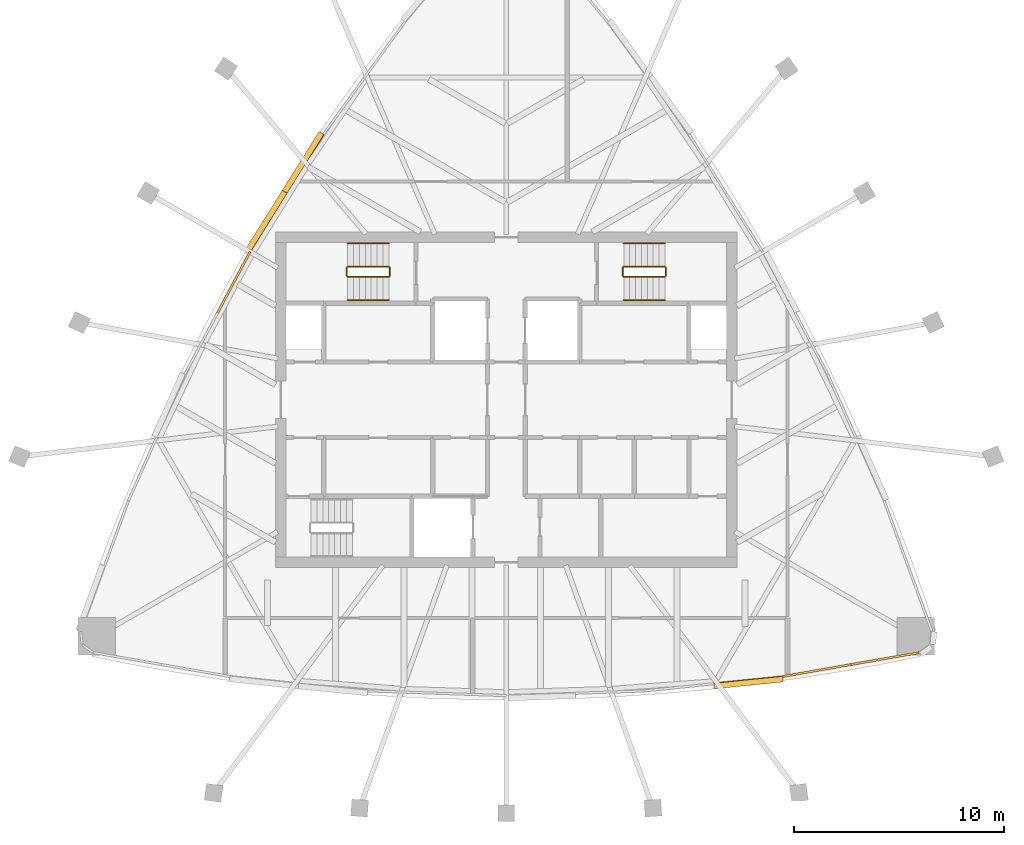
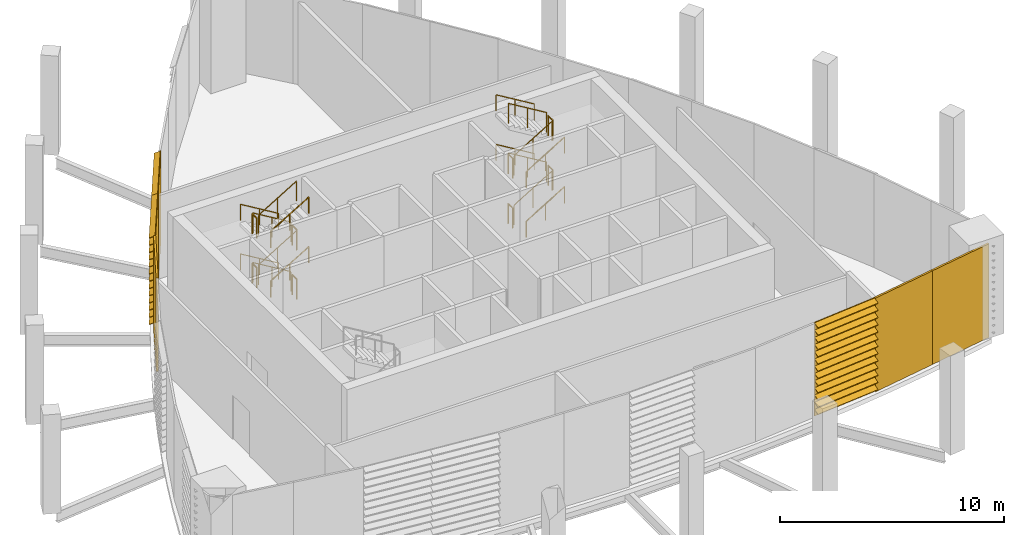
# One storey, part 7 of 8: 24 railings, 3 coverings, 3 shading devices.
"""IFC4 building model written with IfcOpenShell, lengths in metres."""

from ifc_helpers import new_model, si_unit, direction, frame, origin, origin_2d, place, context, subcontext, project, spatial, polyline, circle, outline, extrude, material, layer, layer_set, type_object, element, save


model = new_model("IFC4")

# Units and contexts
model_context = context("Model", 3, precision=1e-05, world=origin(), true_north=direction((0.0, 1.0)))
body_context = subcontext(model_context, "Body", "Model", "MODEL_VIEW")
ifc_project = project(units=[si_unit("LENGTHUNIT", "METRE"), si_unit("AREAUNIT", "SQUARE_METRE"), si_unit("VOLUMEUNIT", "CUBIC_METRE"), si_unit("PLANEANGLEUNIT", "RADIAN"), si_unit("MASSUNIT", "GRAM", prefix="KILO")], contexts=[model_context])

# Site, building, storey
site_placement = place(None, origin())
site = spatial("IfcSite", under=ifc_project, at=site_placement, CompositionType="ELEMENT")
building_placement = place(site_placement, origin())
building = spatial("IfcBuilding", under=site, at=building_placement, Name="Sierra Prisma Convention Tower", CompositionType="ELEMENT")
storey_placement = place(building_placement, frame((0.0, 0.0, 350.199951171875)))
storey = spatial("IfcBuildingStorey", under=building, at=storey_placement, Name="L78", CompositionType="ELEMENT", Elevation=350.199951171875)

# Coverings
ifc_material_1 = material(Name="Aluminium composite bronze anodised", Category="aluminium")
ifc_layer = layer(ifc_material_1, 0.10009765625)
ifc_layer_set = layer_set([ifc_layer], Name="Bronze cladding panel")
covering_type = type_object("IfcCoveringType", Name="Bronze cladding panel", PredefinedType="CLADDING", material=ifc_layer_set)
covering_1_placement = place(storey_placement, origin())
element("IfcCovering", 1, at=covering_1_placement, inside=storey, type_object=covering_type, Name="Crown cladding L78.11", PredefinedType="CLADDING", context=body_context, shape_type="SweptSolid", body=[
    extrude(outline(polyline([(13.164794921875, -13.13720703125), (16.41650390625, -12.568603515625), (16.433837890625, -12.667236328125), (13.18212890625, -13.235595703125), (13.164794921875, -13.13720703125)])), origin(), (0.0, 0.0, 1.0), 5.10009765625),
])
covering_2_placement = place(storey_placement, origin())
element("IfcCovering", 2, at=covering_2_placement, inside=storey, type_object=covering_type, Name="Crown cladding L78.12", PredefinedType="CLADDING", context=body_context, shape_type="SweptSolid", body=[
    extrude(outline(polyline([(16.41650390625, -12.568603515625), (19.66845703125, -12.000244140625), (19.685546875, -12.0986328125), (16.433837890625, -12.667236328125), (16.41650390625, -12.568603515625)])), origin(), (0.0, 0.0, 1.0), 5.10009765625),
])
covering_3_placement = place(storey_placement, origin())
element("IfcCovering", 3, at=covering_3_placement, inside=storey, type_object=covering_type, Name="Crown cladding L78.35", PredefinedType="CLADDING", context=body_context, shape_type="SweptSolid", body=[
    extrude(outline(polyline([(-12.167724609375, 7.02490234375), (-13.71826171875, 4.11083984375), (-13.806640625, 4.15771484375), (-12.255859375, 7.072021484375), (-12.167724609375, 7.02490234375)])), origin(), (0.0, 0.0, 1.0), 5.10009765625),
])

# Railings
ifc_material_2 = material(Name="Stainless steel", Category="steel")
railing_type_1 = type_object("IfcRailingType", Name="Exit stair handrail", PredefinedType="HANDRAIL", material=ifc_material_2)
railing_1_placement = place(storey_placement, frame((-5.60009765625, 7.449951171875, 0.168701171875)))
element("IfcRailing", 4, at=railing_1_placement, inside=storey, type_object=railing_type_1, Name="L78 S3 stair handrail 1", PredefinedType="HANDRAIL", context=body_context, shape_type="SweptSolid", body=[
    extrude(circle(Radius=0.02392578125, at=origin_2d()), frame((0.0, 0.0, 0.8759765625), z_axis=(-0.856446297458, 0.0, 0.516236127728), x_axis=(0.0, -1.0, 0.0)), (0.0, 0.0, 1.0), 2.28857421875),
    extrude(circle(Radius=0.02099609375, at=origin_2d()), origin(), (0.0, 0.0, 1.0), 0.851806640625),
    extrude(circle(Radius=0.02099609375, at=origin_2d()), frame((-0.97998046875, 0.0, 0.5908203125)), (0.0, 0.0, 1.0), 0.851806640625),
    extrude(circle(Radius=0.02099609375, at=origin_2d()), frame((-1.9599609375, 0.0, 1.181396484375)), (0.0, 0.0, 1.0), 0.851806640625),
])
railing_2_placement = place(storey_placement, frame((-7.56005859375, 4.75, 1.518798828125)))
element("IfcRailing", 5, at=railing_2_placement, inside=storey, type_object=railing_type_1, Name="L78 S3 stair handrail 2", PredefinedType="HANDRAIL", context=body_context, shape_type="SweptSolid", body=[
    extrude(circle(Radius=0.02392578125, at=origin_2d()), frame((0.0, 0.0, 0.8759765625), z_axis=(0.856493463811, 0.0, 0.516157869696), x_axis=(0.0, 1.0, 0.0)), (0.0, 0.0, 1.0), 2.288330078125),
    extrude(circle(Radius=0.02099609375, at=origin_2d()), origin(), (0.0, 0.0, 1.0), 0.851806640625),
    extrude(circle(Radius=0.02099609375, at=origin_2d()), frame((0.97998046875, 0.0, 0.590576171875)), (0.0, 0.0, 1.0), 0.851806640625),
    extrude(circle(Radius=0.02099609375, at=origin_2d()), frame((1.9599609375, 0.0, 1.18115234375)), (0.0, 0.0, 1.0), 0.851806640625),
])
railing_3_placement = place(storey_placement, frame((-5.60009765625, 7.449951171875, 2.868896484375)))
element("IfcRailing", 6, at=railing_3_placement, inside=storey, type_object=railing_type_1, Name="L78 S3 stair handrail 3", PredefinedType="HANDRAIL", context=body_context, shape_type="SweptSolid", body=[
    extrude(circle(Radius=0.02392578125, at=origin_2d()), frame((0.0, 0.0, 0.8759765625), z_axis=(-0.856493463811, 0.0, 0.516157869696), x_axis=(0.0, -1.0, 0.0)), (0.0, 0.0, 1.0), 2.288330078125),
    extrude(circle(Radius=0.02099609375, at=origin_2d()), origin(), (0.0, 0.0, 1.0), 0.851806640625),
    extrude(circle(Radius=0.02099609375, at=origin_2d()), frame((-0.97998046875, 0.0, 0.590576171875)), (0.0, 0.0, 1.0), 0.851806640625),
    extrude(circle(Radius=0.02099609375, at=origin_2d()), frame((-1.9599609375, 0.0, 1.18115234375)), (0.0, 0.0, 1.0), 0.851806640625),
])
for number, where, name in (
    (7, (-7.56005859375, 4.75, 4.21875), "L78 S3 stair handrail 4"),
    (8, (5.60009765625, 4.75, 0.168701171875), "L78 S4 stair handrail 1"),
):
    element("IfcRailing", number, at=place(storey_placement, frame(where)), inside=storey, type_object=railing_type_1, Name=name, PredefinedType="HANDRAIL", context=body_context, shape_type="SweptSolid", body=[
        extrude(circle(Radius=0.02392578125, at=origin_2d()), frame((0.0, 0.0, 0.8759765625), z_axis=(0.856446297458, 0.0, 0.516236127728), x_axis=(0.0, 1.0, 0.0)), (0.0, 0.0, 1.0), 2.28857421875),
        extrude(circle(Radius=0.02099609375, at=origin_2d()), origin(), (0.0, 0.0, 1.0), 0.851806640625),
        extrude(circle(Radius=0.02099609375, at=origin_2d()), frame((0.97998046875, 0.0, 0.5908203125)), (0.0, 0.0, 1.0), 0.851806640625),
        extrude(circle(Radius=0.02099609375, at=origin_2d()), frame((1.9599609375, 0.0, 1.181396484375)), (0.0, 0.0, 1.0), 0.851806640625),
    ])
railing_4_placement = place(storey_placement, frame((7.56005859375, 7.449951171875, 1.518798828125)))
element("IfcRailing", 9, at=railing_4_placement, inside=storey, type_object=railing_type_1, Name="L78 S4 stair handrail 2", PredefinedType="HANDRAIL", context=body_context, shape_type="SweptSolid", body=[
    extrude(circle(Radius=0.02392578125, at=origin_2d()), frame((0.0, 0.0, 0.8759765625), z_axis=(-0.856493463811, 0.0, 0.516157869696), x_axis=(0.0, -1.0, 0.0)), (0.0, 0.0, 1.0), 2.288330078125),
    extrude(circle(Radius=0.02099609375, at=origin_2d()), origin(), (0.0, 0.0, 1.0), 0.851806640625),
    extrude(circle(Radius=0.02099609375, at=origin_2d()), frame((-0.97998046875, 0.0, 0.590576171875)), (0.0, 0.0, 1.0), 0.851806640625),
    extrude(circle(Radius=0.02099609375, at=origin_2d()), frame((-1.9599609375, 0.0, 1.18115234375)), (0.0, 0.0, 1.0), 0.851806640625),
])
railing_5_placement = place(storey_placement, frame((5.60009765625, 4.75, 2.868896484375)))
element("IfcRailing", 10, at=railing_5_placement, inside=storey, type_object=railing_type_1, Name="L78 S4 stair handrail 3", PredefinedType="HANDRAIL", context=body_context, shape_type="SweptSolid", body=[
    extrude(circle(Radius=0.02392578125, at=origin_2d()), frame((0.0, 0.0, 0.8759765625), z_axis=(0.856493463811, 0.0, 0.516157869696), x_axis=(0.0, 1.0, 0.0)), (0.0, 0.0, 1.0), 2.288330078125),
    extrude(circle(Radius=0.02099609375, at=origin_2d()), origin(), (0.0, 0.0, 1.0), 0.851806640625),
    extrude(circle(Radius=0.02099609375, at=origin_2d()), frame((0.97998046875, 0.0, 0.590576171875)), (0.0, 0.0, 1.0), 0.851806640625),
    extrude(circle(Radius=0.02099609375, at=origin_2d()), frame((1.9599609375, 0.0, 1.18115234375)), (0.0, 0.0, 1.0), 0.851806640625),
])
railing_6_placement = place(storey_placement, frame((7.56005859375, 7.449951171875, 4.21875)))
element("IfcRailing", 11, at=railing_6_placement, inside=storey, type_object=railing_type_1, Name="L78 S4 stair handrail 4", PredefinedType="HANDRAIL", context=body_context, shape_type="SweptSolid", body=[
    extrude(circle(Radius=0.02392578125, at=origin_2d()), frame((0.0, 0.0, 0.8759765625), z_axis=(-0.856446297458, 0.0, 0.516236127728), x_axis=(0.0, -1.0, 0.0)), (0.0, 0.0, 1.0), 2.28857421875),
    extrude(circle(Radius=0.02099609375, at=origin_2d()), origin(), (0.0, 0.0, 1.0), 0.851806640625),
    extrude(circle(Radius=0.02099609375, at=origin_2d()), frame((-0.97998046875, 0.0, 0.5908203125)), (0.0, 0.0, 1.0), 0.851806640625),
    extrude(circle(Radius=0.02099609375, at=origin_2d()), frame((-1.9599609375, 0.0, 1.181396484375)), (0.0, 0.0, 1.0), 0.851806640625),
])

# Shading devices
ifc_material_3 = material(Name="Aluminium 6063-T6 bronze anodised", Category="aluminium")
shading_device_type = type_object("IfcShadingDeviceType", Name="Louvre bay bronze", PredefinedType="USERDEFINED", material=ifc_material_3)
shading_device_1_placement = place(storey_placement, frame((9.881591796875, -13.479248046875, 0.0), z_axis=(-0.99499427117, -0.09993197856, 0.0), x_axis=(0.0, 0.0, 1.0)))
element("IfcShadingDevice", 12, at=shading_device_1_placement, inside=storey, type_object=shading_device_type, Name="Crown louvre L78.10", ObjectType="LOUVRE", PredefinedType="USERDEFINED", context=body_context, shape_type="SweptSolid", body=[
    extrude(outline(polyline([(0.0, 0.0), (5.10009765625, 0.0), (5.10009765625, -0.030171747826325142), (5.080078125, -0.030171747826325142), (4.9599609375, -0.29994491226729436), (4.929931640625, -0.29994491226729436), (5.050048828125, -0.030171747826325142), (4.707763671875, -0.030171747826325142), (4.687744140625, -0.030171747826325142), (4.567626953125, -0.29994491226729436), (4.537841796875, -0.29994491226729436), (4.65771484375, -0.030171747826325142), (4.3154296875, -0.030171747826325142), (4.29541015625, -0.030171747826325142), (4.175537109375, -0.29994491226729436), (4.1455078125, -0.29994491226729436), (4.265380859375, -0.030171747826325142), (3.923095703125, -0.030171747826325142), (3.903076171875, -0.030171747826325142), (3.783203125, -0.29994491226729436), (3.753173828125, -0.29994491226729436), (3.873046875, -0.030171747826325142), (3.53076171875, -0.030171747826325142), (3.5107421875, -0.030171747826325142), (3.390869140625, -0.29994491226729436), (3.36083984375, -0.29994491226729436), (3.480712890625, -0.030171747826325142), (3.138427734375, -0.030171747826325142), (3.118408203125, -0.030171747826325142), (2.99853515625, -0.29994491226729436), (2.968505859375, -0.29994491226729436), (3.088623046875, -0.030171747826325142), (2.74609375, -0.030171747826325142), (2.726318359375, -0.030171747826325142), (2.606201171875, -0.29994491226729436), (2.576171875, -0.29994491226729436), (2.6962890625, -0.030171747826325142), (2.35400390625, -0.030171747826325142), (2.333984375, -0.030171747826325142), (2.2138671875, -0.29994491226729436), (2.183837890625, -0.29994491226729436), (2.303955078125, -0.030171747826325142), (1.961669921875, -0.030171747826325142), (1.941650390625, -0.030171747826325142), (1.821533203125, -0.29994491226729436), (1.79150390625, -0.29994491226729436), (1.91162109375, -0.030171747826325142), (1.5693359375, -0.030171747826325142), (1.54931640625, -0.030171747826325142), (1.42919921875, -0.29994491226729436), (1.399169921875, -0.29994491226729436), (1.519287109375, -0.030171747826325142), (1.177001953125, -0.030171747826325142), (1.156982421875, -0.030171747826325142), (1.036865234375, -0.29994491226729436), (1.007080078125, -0.29994491226729436), (1.126953125, -0.030171747826325142), (0.78466796875, -0.030171747826325142), (0.7646484375, -0.030171747826325142), (0.644775390625, -0.29994491226729436), (0.61474609375, -0.29994491226729436), (0.734619140625, -0.030171747826325142), (0.392333984375, -0.030171747826325142), (0.372314453125, -0.030171747826325142), (0.25244140625, -0.29994491226729436), (0.222412109375, -0.29994491226729436), (0.34228515625, -0.030171747826325142), (0.0, -0.030171747826325142), (0.0, 0.0)])), origin(), (0.0, 0.0, -1.0), 3.301025390625),
])
shading_device_2_placement = place(storey_placement, frame((-8.670654296875, 12.625, 0.0), z_axis=(0.529932594496, 0.848039766338, 0.0), x_axis=(0.0, 0.0, 1.0)))
element("IfcShadingDevice", 13, at=shading_device_2_placement, inside=storey, type_object=shading_device_type, Name="Crown louvre L78.33", ObjectType="LOUVRE", PredefinedType="USERDEFINED", context=body_context, shape_type="SweptSolid", body=[
    extrude(outline(polyline([(0.0, 0.0), (5.10009765625, 0.0), (5.10009765625, -0.029941834556005825), (5.080078125, -0.029941834556005825), (4.9599609375, -0.29996180555204366), (4.929931640625, -0.29996180555204366), (5.050048828125, -0.029941834556005825), (4.707763671875, -0.029941834556005825), (4.687744140625, -0.029941834556005825), (4.567626953125, -0.29996180555204366), (4.537841796875, -0.29996180555204366), (4.65771484375, -0.029941834556005825), (4.3154296875, -0.029941834556005825), (4.29541015625, -0.029941834556005825), (4.175537109375, -0.29996180555204366), (4.1455078125, -0.29996180555204366), (4.265380859375, -0.029941834556005825), (3.923095703125, -0.029941834556005825), (3.903076171875, -0.029941834556005825), (3.783203125, -0.29996180555204366), (3.753173828125, -0.29996180555204366), (3.873046875, -0.029941834556005825), (3.53076171875, -0.029941834556005825), (3.5107421875, -0.029941834556005825), (3.390869140625, -0.29996180555204366), (3.36083984375, -0.29996180555204366), (3.480712890625, -0.029941834556005825), (3.138427734375, -0.029941834556005825), (3.118408203125, -0.029941834556005825), (2.99853515625, -0.29996180555204366), (2.968505859375, -0.29996180555204366), (3.088623046875, -0.029941834556005825), (2.74609375, -0.029941834556005825), (2.726318359375, -0.029941834556005825), (2.606201171875, -0.29996180555204366), (2.576171875, -0.29996180555204366), (2.6962890625, -0.029941834556005825), (2.35400390625, -0.029941834556005825), (2.333984375, -0.029941834556005825), (2.2138671875, -0.29996180555204366), (2.183837890625, -0.29996180555204366), (2.303955078125, -0.029941834556005825), (1.961669921875, -0.029941834556005825), (1.941650390625, -0.029941834556005825), (1.821533203125, -0.29996180555204366), (1.79150390625, -0.29996180555204366), (1.91162109375, -0.029941834556005825), (1.5693359375, -0.029941834556005825), (1.54931640625, -0.029941834556005825), (1.42919921875, -0.29996180555204366), (1.399169921875, -0.29996180555204366), (1.519287109375, -0.029941834556005825), (1.177001953125, -0.029941834556005825), (1.156982421875, -0.029941834556005825), (1.036865234375, -0.29996180555204366), (1.007080078125, -0.29996180555204366), (1.126953125, -0.029941834556005825), (0.78466796875, -0.029941834556005825), (0.7646484375, -0.029941834556005825), (0.644775390625, -0.29996180555204366), (0.61474609375, -0.29996180555204366), (0.734619140625, -0.029941834556005825), (0.392333984375, -0.029941834556005825), (0.372314453125, -0.029941834556005825), (0.25244140625, -0.29996180555204366), (0.222412109375, -0.29996180555204366), (0.34228515625, -0.029941834556005825), (0.0, -0.029941834556005825), (0.0, 0.0)])), origin(), (0.0, 0.0, -1.0), 3.301025390625),
])
shading_device_3_placement = place(storey_placement, frame((-10.419189453125, 9.824951171875, 0.0), z_axis=(0.529932594496, 0.848039766338, 0.0), x_axis=(0.0, 0.0, 1.0)))
element("IfcShadingDevice", 14, at=shading_device_3_placement, inside=storey, type_object=shading_device_type, Name="Crown louvre L78.34", ObjectType="LOUVRE", PredefinedType="USERDEFINED", context=body_context, shape_type="SweptSolid", body=[
    extrude(outline(polyline([(0.0, 0.0), (5.10009765625, 0.0), (5.10009765625, -0.029941834556005825), (5.080078125, -0.029941834556005825), (4.9599609375, -0.29996180555204366), (4.929931640625, -0.29996180555204366), (5.050048828125, -0.029941834556005825), (4.707763671875, -0.029941834556005825), (4.687744140625, -0.029941834556005825), (4.567626953125, -0.29996180555204366), (4.537841796875, -0.29996180555204366), (4.65771484375, -0.029941834556005825), (4.3154296875, -0.029941834556005825), (4.29541015625, -0.029941834556005825), (4.175537109375, -0.29996180555204366), (4.1455078125, -0.29996180555204366), (4.265380859375, -0.029941834556005825), (3.923095703125, -0.029941834556005825), (3.903076171875, -0.029941834556005825), (3.783203125, -0.29996180555204366), (3.753173828125, -0.29996180555204366), (3.873046875, -0.029941834556005825), (3.53076171875, -0.029941834556005825), (3.5107421875, -0.029941834556005825), (3.390869140625, -0.29996180555204366), (3.36083984375, -0.29996180555204366), (3.480712890625, -0.029941834556005825), (3.138427734375, -0.029941834556005825), (3.118408203125, -0.029941834556005825), (2.99853515625, -0.29996180555204366), (2.968505859375, -0.29996180555204366), (3.088623046875, -0.029941834556005825), (2.74609375, -0.029941834556005825), (2.726318359375, -0.029941834556005825), (2.606201171875, -0.29996180555204366), (2.576171875, -0.29996180555204366), (2.6962890625, -0.029941834556005825), (2.35400390625, -0.029941834556005825), (2.333984375, -0.029941834556005825), (2.2138671875, -0.29996180555204366), (2.183837890625, -0.29996180555204366), (2.303955078125, -0.029941834556005825), (1.961669921875, -0.029941834556005825), (1.941650390625, -0.029941834556005825), (1.821533203125, -0.29996180555204366), (1.79150390625, -0.29996180555204366), (1.91162109375, -0.029941834556005825), (1.5693359375, -0.029941834556005825), (1.54931640625, -0.029941834556005825), (1.42919921875, -0.29996180555204366), (1.399169921875, -0.29996180555204366), (1.519287109375, -0.029941834556005825), (1.177001953125, -0.029941834556005825), (1.156982421875, -0.029941834556005825), (1.036865234375, -0.29996180555204366), (1.007080078125, -0.29996180555204366), (1.126953125, -0.029941834556005825), (0.78466796875, -0.029941834556005825), (0.7646484375, -0.029941834556005825), (0.644775390625, -0.29996180555204366), (0.61474609375, -0.29996180555204366), (0.734619140625, -0.029941834556005825), (0.392333984375, -0.029941834556005825), (0.372314453125, -0.029941834556005825), (0.25244140625, -0.29996180555204366), (0.222412109375, -0.29996180555204366), (0.34228515625, -0.029941834556005825), (0.0, -0.029941834556005825), (0.0, 0.0)])), origin(), (0.0, 0.0, -1.0), 3.301025390625),
])

# Railings
ifc_material_4 = material(Name="Stainless steel", Category="steel")
railing_type_2 = type_object("IfcRailingType", Name="Stair guard 1100", PredefinedType="GUARDRAIL", material=ifc_material_4)
railing_7_placement = place(storey_placement, frame((-5.60009765625, 6.35009765625, 0.168701171875)))
element("IfcRailing", 15, at=railing_7_placement, inside=storey, type_object=railing_type_2, Name="L78 S3 stair guard 1", PredefinedType="GUARDRAIL", context=body_context, shape_type="SweptSolid", body=[
    extrude(circle(Radius=0.02392578125, at=origin_2d()), frame((0.0, 0.0, 1.076171875), z_axis=(-0.856446297458, 0.0, 0.516236127728), x_axis=(0.0, -1.0, 0.0)), (0.0, 0.0, 1.0), 2.28857421875),
    extrude(circle(Radius=0.02099609375, at=origin_2d()), origin(), (0.0, 0.0, 1.0), 1.052001953125),
    extrude(circle(Radius=0.02099609375, at=origin_2d()), frame((-0.97998046875, 0.0, 0.5908203125)), (0.0, 0.0, 1.0), 1.052001953125),
    extrude(circle(Radius=0.02099609375, at=origin_2d()), frame((-1.9599609375, 0.0, 1.181396484375)), (0.0, 0.0, 1.0), 1.052001953125),
])
railing_8_placement = place(storey_placement, frame((-7.610107421875, 6.300048828125, 1.35009765625)))
element("IfcRailing", 16, at=railing_8_placement, inside=storey, type_object=railing_type_2, Name="L78 S3 stair guard 2", PredefinedType="GUARDRAIL", context=body_context, shape_type="SweptSolid", body=[
    extrude(circle(Radius=0.02392578125, at=origin_2d()), frame((0.0, 0.0, 1.076171875), z_axis=(0.0, -1.0, 0.0), x_axis=(1.0, 0.0, 0.0)), (0.0, 0.0, 1.0), 0.400146484375),
    extrude(circle(Radius=0.02099609375, at=origin_2d()), origin(), (0.0, 0.0, 1.0), 1.052001953125),
    extrude(circle(Radius=0.02099609375, at=origin_2d()), frame((0.0, -0.400146484375, 0.0)), (0.0, 0.0, 1.0), 1.052001953125),
])
railing_9_placement = place(storey_placement, frame((-7.56005859375, 5.85009765625, 1.518798828125)))
element("IfcRailing", 17, at=railing_9_placement, inside=storey, type_object=railing_type_2, Name="L78 S3 stair guard 3", PredefinedType="GUARDRAIL", context=body_context, shape_type="SweptSolid", body=[
    extrude(circle(Radius=0.02392578125, at=origin_2d()), frame((0.0, 0.0, 1.076171875), z_axis=(0.856493463811, 0.0, 0.516157869696), x_axis=(0.0, 1.0, 0.0)), (0.0, 0.0, 1.0), 2.288330078125),
    extrude(circle(Radius=0.02099609375, at=origin_2d()), origin(), (0.0, 0.0, 1.0), 1.052001953125),
    extrude(circle(Radius=0.02099609375, at=origin_2d()), frame((0.97998046875, 0.0, 0.590576171875)), (0.0, 0.0, 1.0), 1.052001953125),
    extrude(circle(Radius=0.02099609375, at=origin_2d()), frame((1.9599609375, 0.0, 1.18115234375)), (0.0, 0.0, 1.0), 1.052001953125),
])
railing_10_placement = place(storey_placement, frame((-5.550048828125, 6.300048828125, 2.699951171875)))
element("IfcRailing", 18, at=railing_10_placement, inside=storey, type_object=railing_type_2, Name="L78 S3 stair guard 4", PredefinedType="GUARDRAIL", context=body_context, shape_type="SweptSolid", body=[
    extrude(circle(Radius=0.02392578125, at=origin_2d()), frame((0.0, 0.0, 1.076171875), z_axis=(0.0, -1.0, 0.0), x_axis=(1.0, 0.0, 0.0)), (0.0, 0.0, 1.0), 0.400146484375),
    extrude(circle(Radius=0.02099609375, at=origin_2d()), origin(), (0.0, 0.0, 1.0), 1.052001953125),
    extrude(circle(Radius=0.02099609375, at=origin_2d()), frame((0.0, -0.400146484375, 0.0)), (0.0, 0.0, 1.0), 1.052001953125),
])
railing_11_placement = place(storey_placement, frame((-5.60009765625, 6.35009765625, 2.868896484375)))
element("IfcRailing", 19, at=railing_11_placement, inside=storey, type_object=railing_type_2, Name="L78 S3 stair guard 5", PredefinedType="GUARDRAIL", context=body_context, shape_type="SweptSolid", body=[
    extrude(circle(Radius=0.02392578125, at=origin_2d()), frame((0.0, 0.0, 1.076171875), z_axis=(-0.856493463811, 0.0, 0.516157869696), x_axis=(0.0, -1.0, 0.0)), (0.0, 0.0, 1.0), 2.288330078125),
    extrude(circle(Radius=0.02099609375, at=origin_2d()), origin(), (0.0, 0.0, 1.0), 1.052001953125),
    extrude(circle(Radius=0.02099609375, at=origin_2d()), frame((-0.97998046875, 0.0, 0.590576171875)), (0.0, 0.0, 1.0), 1.052001953125),
    extrude(circle(Radius=0.02099609375, at=origin_2d()), frame((-1.9599609375, 0.0, 1.18115234375)), (0.0, 0.0, 1.0), 1.052001953125),
])
railing_12_placement = place(storey_placement, frame((-7.610107421875, 6.300048828125, 4.050048828125)))
element("IfcRailing", 20, at=railing_12_placement, inside=storey, type_object=railing_type_2, Name="L78 S3 stair guard 6", PredefinedType="GUARDRAIL", context=body_context, shape_type="SweptSolid", body=[
    extrude(circle(Radius=0.02392578125, at=origin_2d()), frame((0.0, 0.0, 1.076171875), z_axis=(0.0, -1.0, 0.0), x_axis=(1.0, 0.0, 0.0)), (0.0, 0.0, 1.0), 0.400146484375),
    extrude(circle(Radius=0.02099609375, at=origin_2d()), origin(), (0.0, 0.0, 1.0), 1.052001953125),
    extrude(circle(Radius=0.02099609375, at=origin_2d()), frame((0.0, -0.400146484375, 0.0)), (0.0, 0.0, 1.0), 1.052001953125),
])
railing_13_placement = place(storey_placement, frame((-7.56005859375, 5.85009765625, 4.21875)))
element("IfcRailing", 21, at=railing_13_placement, inside=storey, type_object=railing_type_2, Name="L78 S3 stair guard 7", PredefinedType="GUARDRAIL", context=body_context, shape_type="SweptSolid", body=[
    extrude(circle(Radius=0.02392578125, at=origin_2d()), frame((0.0, 0.0, 1.076171875), z_axis=(0.856446297458, 0.0, 0.516236127728), x_axis=(0.0, 1.0, 0.0)), (0.0, 0.0, 1.0), 2.28857421875),
    extrude(circle(Radius=0.02099609375, at=origin_2d()), origin(), (0.0, 0.0, 1.0), 1.052001953125),
    extrude(circle(Radius=0.02099609375, at=origin_2d()), frame((0.97998046875, 0.0, 0.5908203125)), (0.0, 0.0, 1.0), 1.052001953125),
    extrude(circle(Radius=0.02099609375, at=origin_2d()), frame((1.9599609375, 0.0, 1.181396484375)), (0.0, 0.0, 1.0), 1.052001953125),
])
railing_14_placement = place(storey_placement, frame((-5.550048828125, 6.300048828125, 0.0)))
element("IfcRailing", 22, at=railing_14_placement, inside=storey, type_object=railing_type_2, Name="L78 S3 stair guard 8", PredefinedType="GUARDRAIL", context=body_context, shape_type="SweptSolid", body=[
    extrude(circle(Radius=0.02392578125, at=origin_2d()), frame((0.0, 0.0, 1.076171875), z_axis=(0.0, -1.0, 0.0), x_axis=(1.0, 0.0, 0.0)), (0.0, 0.0, 1.0), 0.400146484375),
    extrude(circle(Radius=0.02099609375, at=origin_2d()), origin(), (0.0, 0.0, 1.0), 1.052001953125),
    extrude(circle(Radius=0.02099609375, at=origin_2d()), frame((0.0, -0.400146484375, 0.0)), (0.0, 0.0, 1.0), 1.052001953125),
])
railing_15_placement = place(storey_placement, frame((5.60009765625, 5.85009765625, 0.168701171875)))
element("IfcRailing", 23, at=railing_15_placement, inside=storey, type_object=railing_type_2, Name="L78 S4 stair guard 1", PredefinedType="GUARDRAIL", context=body_context, shape_type="SweptSolid", body=[
    extrude(circle(Radius=0.02392578125, at=origin_2d()), frame((0.0, 0.0, 1.076171875), z_axis=(0.856446297458, 0.0, 0.516236127728), x_axis=(0.0, 1.0, 0.0)), (0.0, 0.0, 1.0), 2.28857421875),
    extrude(circle(Radius=0.02099609375, at=origin_2d()), origin(), (0.0, 0.0, 1.0), 1.052001953125),
    extrude(circle(Radius=0.02099609375, at=origin_2d()), frame((0.97998046875, 0.0, 0.5908203125)), (0.0, 0.0, 1.0), 1.052001953125),
    extrude(circle(Radius=0.02099609375, at=origin_2d()), frame((1.9599609375, 0.0, 1.181396484375)), (0.0, 0.0, 1.0), 1.052001953125),
])
railing_16_placement = place(storey_placement, frame((7.610107421875, 5.89990234375, 1.35009765625)))
element("IfcRailing", 24, at=railing_16_placement, inside=storey, type_object=railing_type_2, Name="L78 S4 stair guard 2", PredefinedType="GUARDRAIL", context=body_context, shape_type="SweptSolid", body=[
    extrude(circle(Radius=0.02392578125, at=origin_2d()), frame((0.0, 0.0, 1.076171875), z_axis=(0.0, 1.0, 0.0), x_axis=(-1.0, 0.0, 0.0)), (0.0, 0.0, 1.0), 0.400146484375),
    extrude(circle(Radius=0.02099609375, at=origin_2d()), origin(), (0.0, 0.0, 1.0), 1.052001953125),
    extrude(circle(Radius=0.02099609375, at=origin_2d()), frame((0.0, 0.400146484375, 0.0)), (0.0, 0.0, 1.0), 1.052001953125),
])
railing_17_placement = place(storey_placement, frame((7.56005859375, 6.35009765625, 1.518798828125)))
element("IfcRailing", 25, at=railing_17_placement, inside=storey, type_object=railing_type_2, Name="L78 S4 stair guard 3", PredefinedType="GUARDRAIL", context=body_context, shape_type="SweptSolid", body=[
    extrude(circle(Radius=0.02392578125, at=origin_2d()), frame((0.0, 0.0, 1.076171875), z_axis=(-0.856493463811, 0.0, 0.516157869696), x_axis=(0.0, -1.0, 0.0)), (0.0, 0.0, 1.0), 2.288330078125),
    extrude(circle(Radius=0.02099609375, at=origin_2d()), origin(), (0.0, 0.0, 1.0), 1.052001953125),
    extrude(circle(Radius=0.02099609375, at=origin_2d()), frame((-0.97998046875, 0.0, 0.590576171875)), (0.0, 0.0, 1.0), 1.052001953125),
    extrude(circle(Radius=0.02099609375, at=origin_2d()), frame((-1.9599609375, 0.0, 1.18115234375)), (0.0, 0.0, 1.0), 1.052001953125),
])
railing_18_placement = place(storey_placement, frame((5.550048828125, 5.89990234375, 2.699951171875)))
element("IfcRailing", 26, at=railing_18_placement, inside=storey, type_object=railing_type_2, Name="L78 S4 stair guard 4", PredefinedType="GUARDRAIL", context=body_context, shape_type="SweptSolid", body=[
    extrude(circle(Radius=0.02392578125, at=origin_2d()), frame((0.0, 0.0, 1.076171875), z_axis=(0.0, 1.0, 0.0), x_axis=(-1.0, 0.0, 0.0)), (0.0, 0.0, 1.0), 0.400146484375),
    extrude(circle(Radius=0.02099609375, at=origin_2d()), origin(), (0.0, 0.0, 1.0), 1.052001953125),
    extrude(circle(Radius=0.02099609375, at=origin_2d()), frame((0.0, 0.400146484375, 0.0)), (0.0, 0.0, 1.0), 1.052001953125),
])
railing_19_placement = place(storey_placement, frame((5.60009765625, 5.85009765625, 2.868896484375)))
element("IfcRailing", 27, at=railing_19_placement, inside=storey, type_object=railing_type_2, Name="L78 S4 stair guard 5", PredefinedType="GUARDRAIL", context=body_context, shape_type="SweptSolid", body=[
    extrude(circle(Radius=0.02392578125, at=origin_2d()), frame((0.0, 0.0, 1.076171875), z_axis=(0.856493463811, 0.0, 0.516157869696), x_axis=(0.0, 1.0, 0.0)), (0.0, 0.0, 1.0), 2.288330078125),
    extrude(circle(Radius=0.02099609375, at=origin_2d()), origin(), (0.0, 0.0, 1.0), 1.052001953125),
    extrude(circle(Radius=0.02099609375, at=origin_2d()), frame((0.97998046875, 0.0, 0.590576171875)), (0.0, 0.0, 1.0), 1.052001953125),
    extrude(circle(Radius=0.02099609375, at=origin_2d()), frame((1.9599609375, 0.0, 1.18115234375)), (0.0, 0.0, 1.0), 1.052001953125),
])
railing_20_placement = place(storey_placement, frame((7.610107421875, 5.89990234375, 4.050048828125)))
element("IfcRailing", 28, at=railing_20_placement, inside=storey, type_object=railing_type_2, Name="L78 S4 stair guard 6", PredefinedType="GUARDRAIL", context=body_context, shape_type="SweptSolid", body=[
    extrude(circle(Radius=0.02392578125, at=origin_2d()), frame((0.0, 0.0, 1.076171875), z_axis=(0.0, 1.0, 0.0), x_axis=(-1.0, 0.0, 0.0)), (0.0, 0.0, 1.0), 0.400146484375),
    extrude(circle(Radius=0.02099609375, at=origin_2d()), origin(), (0.0, 0.0, 1.0), 1.052001953125),
    extrude(circle(Radius=0.02099609375, at=origin_2d()), frame((0.0, 0.400146484375, 0.0)), (0.0, 0.0, 1.0), 1.052001953125),
])
railing_21_placement = place(storey_placement, frame((7.56005859375, 6.35009765625, 4.21875)))
element("IfcRailing", 29, at=railing_21_placement, inside=storey, type_object=railing_type_2, Name="L78 S4 stair guard 7", PredefinedType="GUARDRAIL", context=body_context, shape_type="SweptSolid", body=[
    extrude(circle(Radius=0.02392578125, at=origin_2d()), frame((0.0, 0.0, 1.076171875), z_axis=(-0.856446297458, 0.0, 0.516236127728), x_axis=(0.0, -1.0, 0.0)), (0.0, 0.0, 1.0), 2.28857421875),
    extrude(circle(Radius=0.02099609375, at=origin_2d()), origin(), (0.0, 0.0, 1.0), 1.052001953125),
    extrude(circle(Radius=0.02099609375, at=origin_2d()), frame((-0.97998046875, 0.0, 0.5908203125)), (0.0, 0.0, 1.0), 1.052001953125),
    extrude(circle(Radius=0.02099609375, at=origin_2d()), frame((-1.9599609375, 0.0, 1.181396484375)), (0.0, 0.0, 1.0), 1.052001953125),
])
railing_22_placement = place(storey_placement, frame((5.550048828125, 5.89990234375, 0.0)))
element("IfcRailing", 30, at=railing_22_placement, inside=storey, type_object=railing_type_2, Name="L78 S4 stair guard 8", PredefinedType="GUARDRAIL", context=body_context, shape_type="SweptSolid", body=[
    extrude(circle(Radius=0.02392578125, at=origin_2d()), frame((0.0, 0.0, 1.076171875), z_axis=(0.0, 1.0, 0.0), x_axis=(-1.0, 0.0, 0.0)), (0.0, 0.0, 1.0), 0.400146484375),
    extrude(circle(Radius=0.02099609375, at=origin_2d()), origin(), (0.0, 0.0, 1.0), 1.052001953125),
    extrude(circle(Radius=0.02099609375, at=origin_2d()), frame((0.0, 0.400146484375, 0.0)), (0.0, 0.0, 1.0), 1.052001953125),
])

save(model, "model.ifc")
